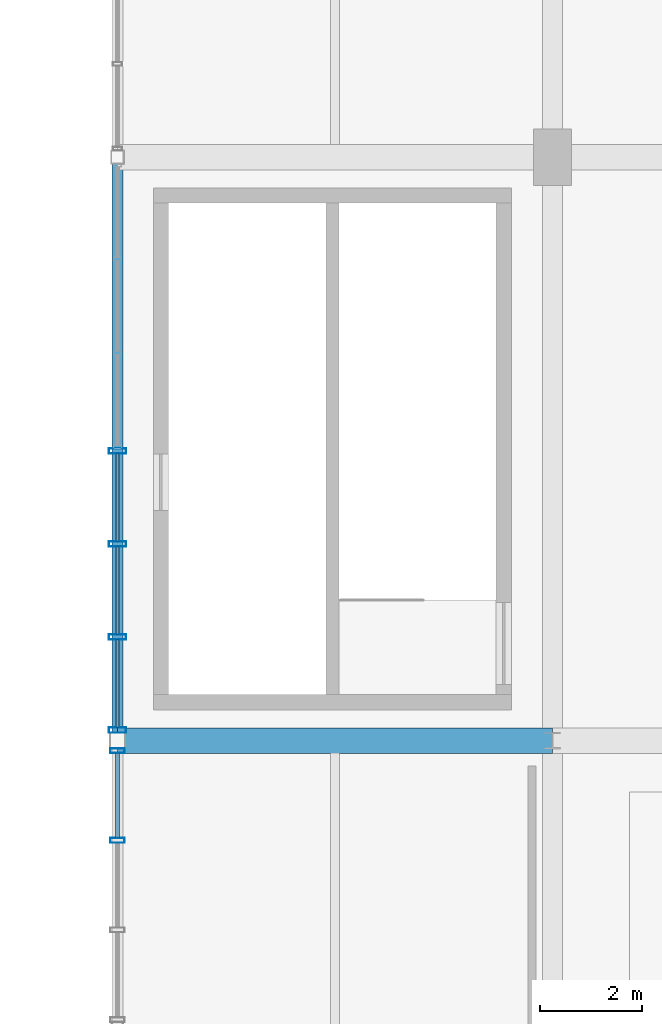
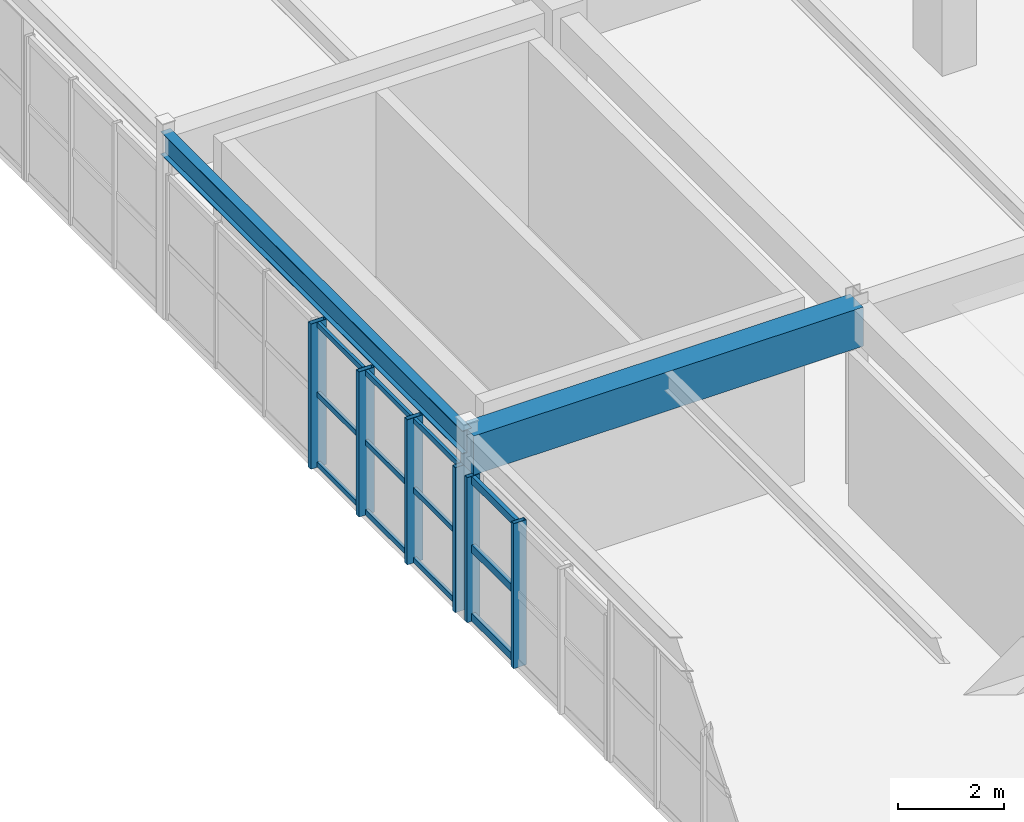
# One storey, part 26 of 80: 18 members, 2 beams, 2 elements without a shape of their own.
"""IFC4 building model written with IfcOpenShell, lengths in metres."""

from ifc_helpers import new_model, si_unit, direction, frame, origin, origin_2d, place, context, subcontext, project, spatial, rectangle, hollow_rectangle, i_section, extrude, material, layer, layer_set, material_profile, profile_set, type_object, element, aggregate, save


model = new_model("IFC4")

# Units and contexts
model_context = context("Model", 3, precision=1e-05, world=origin(), true_north=direction((0.0, 1.0)))
body_context = subcontext(model_context, "Body", "Model", "MODEL_VIEW")
ifc_project = project(units=[si_unit("LENGTHUNIT", "METRE"), si_unit("AREAUNIT", "SQUARE_METRE"), si_unit("VOLUMEUNIT", "CUBIC_METRE"), si_unit("PLANEANGLEUNIT", "RADIAN"), si_unit("MASSUNIT", "GRAM", prefix="KILO"), si_unit("POWERUNIT", "WATT"), si_unit("THERMODYNAMICTEMPERATUREUNIT", "KELVIN")], contexts=[model_context])

# Site, building, storey
site_placement = place(None, origin())
site = spatial("IfcSite", under=ifc_project, at=site_placement, CompositionType="ELEMENT")
building_placement = place(site_placement, origin())
building = spatial("IfcBuilding", under=site, at=building_placement, Name="Kelmbourne Parkland Aquatics Centre", CompositionType="ELEMENT")
storey_placement = place(building_placement, frame((0.0, 0.0, 10.199951171875)))
storey = spatial("IfcBuildingStorey", under=building, at=storey_placement, Name="L02", CompositionType="ELEMENT", Elevation=10.199951171875)

# Beams
ifc_material_1 = material(Name="Concrete C40/50", Category="concrete")
ifc_material_profile_1 = material_profile(ifc_material_1, rectangle(XDim=0.5, YDim=0.89990234375, at=origin_2d()), Name="RC 500x900")
ifc_profile_set_1 = profile_set([ifc_material_profile_1], Name="Concrete C40/50")
beam_type_1 = type_object("IfcBeamType", Name="BM-G03", PredefinedType="BEAM", material=ifc_profile_set_1)
beam_1_placement = place(storey_placement, frame((102.0, 35.0, 3.81005859375), z_axis=(1.0, 0.0, 0.0), x_axis=(0.0, 1.0, 0.0)))
element("IfcBeam", 1, at=beam_1_placement, inside=storey, type_object=beam_type_1, Name="Primary girder M-N Grid 05 (L03)", PredefinedType="BEAM", context=body_context, shape_type="SweptSolid", body=[
    extrude(rectangle(XDim=0.5, YDim=0.89990234375, at=origin_2d()), origin(), (0.0, 0.0, 1.0), 8.5),
])
ifc_material_2 = material(Name="Structural steel AS/NZS 3679.1 Grade 300", Category="steel")
ifc_material_profile_2 = material_profile(ifc_material_2, i_section(OverallWidth=0.208984375, OverallDepth=0.532958984375, WebThickness=0.01025390625, FlangeThickness=0.015625, at=origin_2d()), Name="530UB92.4")
ifc_profile_set_2 = profile_set([ifc_material_profile_2], Name="Structural steel AS/NZS 3679.1 Grade 300")
beam_type_2 = type_object("IfcBeamType", Name="BM-SP02", PredefinedType="SPANDREL", material=ifc_profile_set_2)
beam_2_placement = place(storey_placement, frame((102.0, 35.0, 3.99365234375), z_axis=(0.0, 1.0, 0.0), x_axis=(-1.0, 0.0, 0.0)))
element("IfcBeam", 2, at=beam_2_placement, inside=storey, type_object=beam_type_2, Name="Perimeter spandrel 05-06 Grid M (L03)", PredefinedType="SPANDREL", context=body_context, shape_type="SweptSolid", body=[
    extrude(i_section(OverallWidth=0.208984375, OverallDepth=0.532958984375, WebThickness=0.01025390625, FlangeThickness=0.015625, at=origin_2d()), origin(), (0.0, 0.0, 1.0), 11.39990234375),
])

# Curtain wall, members
ifc_material_3 = material(Name="Thermally broken anodised aluminium framing", Category="aluminium")
ifc_layer_1 = layer(ifc_material_3, 0.179931640625)
ifc_layer_set_1 = layer_set([ifc_layer_1], Name="Thermally broken anodised aluminium framing")
curtain_wall_type_1 = type_object("IfcCurtainWallType", Name="CW-11", PredefinedType="NOTDEFINED", material=ifc_layer_set_1)
curtain_wall_1_placement = place(storey_placement, origin())
curtain_wall_1 = element("IfcCurtainWall", 3, at=curtain_wall_1_placement, inside=storey, type_object=curtain_wall_type_1, Name="Facade curtain wall CW-L02-203", PredefinedType="NOTDEFINED")
ifc_material_profile_3 = material_profile(ifc_material_3, hollow_rectangle(XDim=0.094970703125, YDim=0.280029296875, WallThickness=0.005615234375, at=origin_2d()), Name="CW-M 95x280")
ifc_profile_set_3 = profile_set([ifc_material_profile_3], Name="Thermally broken anodised aluminium framing")
member_type_1 = type_object("IfcMemberType", Name="MB-MUL-4", PredefinedType="MULLION", material=ifc_profile_set_3)
member_1_placement = place(storey_placement, frame((102.0, 33.049560546875, 0.0), z_axis=(0.0, 0.0, 1.0), x_axis=(0.0, 1.0, 0.0)))
member_1 = element("IfcMember", 4, at=member_1_placement, type_object=member_type_1, Name="CW-L02-203 mullion 2", PredefinedType="MULLION", context=body_context, shape_type="SweptSolid", body=[
    extrude(hollow_rectangle(XDim=0.094970703125, YDim=0.280029296875, WallThickness=0.005615234375, at=origin_2d()), origin(), (0.0, 0.0, 1.0), 3.344970703125),
])
member_2_placement = place(storey_placement, frame((102.0, 34.800537109375, 0.0), z_axis=(0.0, 0.0, 1.0), x_axis=(0.0, 1.0, 0.0)))
member_2 = element("IfcMember", 5, at=member_2_placement, type_object=member_type_1, Name="CW-L02-203 mullion 3", PredefinedType="MULLION", context=body_context, shape_type="SweptSolid", body=[
    extrude(hollow_rectangle(XDim=0.094970703125, YDim=0.280029296875, WallThickness=0.005615234375, at=origin_2d()), origin(), (0.0, 0.0, 1.0), 3.344970703125),
])

ifc_layer_2 = layer(ifc_material_3, 0.179931640625)
ifc_layer_set_2 = layer_set([ifc_layer_2], Name="Thermally broken anodised aluminium framing")
curtain_wall_type_2 = type_object("IfcCurtainWallType", Name="CW-12", PredefinedType="NOTDEFINED", material=ifc_layer_set_2)
curtain_wall_2_placement = place(storey_placement, origin())
curtain_wall_2 = element("IfcCurtainWall", 6, at=curtain_wall_2_placement, inside=storey, type_object=curtain_wall_type_2, Name="Facade curtain wall CW-L02-204", PredefinedType="NOTDEFINED")
ifc_material_profile_4 = material_profile(ifc_material_3, hollow_rectangle(XDim=0.10498046875, YDim=0.340087890625, WallThickness=0.006103515625, at=origin_2d()), Name="CW-M 105x340")
ifc_profile_set_4 = profile_set([ifc_material_profile_4], Name="Thermally broken anodised aluminium framing")
member_type_2 = type_object("IfcMemberType", Name="MB-MUL-5", PredefinedType="MULLION", material=ifc_profile_set_4)
member_3_placement = place(storey_placement, frame((102.0, 35.20458984375, 0.0), z_axis=(0.0, 0.0, 1.0), x_axis=(0.0, 1.0, 0.0)))
member_3 = element("IfcMember", 7, at=member_3_placement, type_object=member_type_2, Name="CW-L02-204 mullion 0", PredefinedType="MULLION", context=body_context, shape_type="SweptSolid", body=[
    extrude(hollow_rectangle(XDim=0.10498046875, YDim=0.340087890625, WallThickness=0.006103515625, at=origin_2d()), origin(), (0.0, 0.0, 1.0), 3.344970703125),
])
member_4_placement = place(storey_placement, frame((102.0, 37.02294921875, 0.0), z_axis=(0.0, 0.0, 1.0), x_axis=(0.0, 1.0, 0.0)))
member_4 = element("IfcMember", 8, at=member_4_placement, type_object=member_type_2, Name="CW-L02-204 mullion 1", PredefinedType="MULLION", context=body_context, shape_type="SweptSolid", body=[
    extrude(hollow_rectangle(XDim=0.10498046875, YDim=0.340087890625, WallThickness=0.006103515625, at=origin_2d()), origin(), (0.0, 0.0, 1.0), 3.344970703125),
])
member_5_placement = place(storey_placement, frame((102.0, 38.841552734375, 0.0), z_axis=(0.0, 0.0, 1.0), x_axis=(0.0, 1.0, 0.0)))
member_5 = element("IfcMember", 9, at=member_5_placement, type_object=member_type_2, Name="CW-L02-204 mullion 2", PredefinedType="MULLION", context=body_context, shape_type="SweptSolid", body=[
    extrude(hollow_rectangle(XDim=0.10498046875, YDim=0.340087890625, WallThickness=0.006103515625, at=origin_2d()), origin(), (0.0, 0.0, 1.0), 3.344970703125),
])
member_6_placement = place(storey_placement, frame((102.0, 40.659912109375, 0.0), z_axis=(0.0, 0.0, 1.0), x_axis=(0.0, 1.0, 0.0)))
member_6 = element("IfcMember", 10, at=member_6_placement, type_object=member_type_2, Name="CW-L02-204 mullion 3", PredefinedType="MULLION", context=body_context, shape_type="SweptSolid", body=[
    extrude(hollow_rectangle(XDim=0.10498046875, YDim=0.340087890625, WallThickness=0.006103515625, at=origin_2d()), origin(), (0.0, 0.0, 1.0), 3.344970703125),
])
ifc_material_profile_5 = material_profile(ifc_material_3, hollow_rectangle(XDim=0.06494140625, YDim=0.1201171875, WallThickness=0.00341796875, at=origin_2d()), Name="CW-T 65x120")
ifc_profile_set_5 = profile_set([ifc_material_profile_5], Name="Thermally broken anodised aluminium framing")
member_type_3 = type_object("IfcMemberType", Name="MB-TRN-1", PredefinedType="USERDEFINED", material=ifc_profile_set_5)
member_7_placement = place(storey_placement, frame((102.0, 35.2529296875, 0.06298828125), z_axis=(0.0, 1.0, 0.0), x_axis=(-1.0, 0.0, 0.0)))
member_7 = element("IfcMember", 11, at=member_7_placement, type_object=member_type_3, Name="CW-L02-204 transom 0-0", ObjectType="TRANSOM", PredefinedType="USERDEFINED", context=body_context, shape_type="SweptSolid", body=[
    extrude(hollow_rectangle(XDim=0.06494140625, YDim=0.1201171875, WallThickness=0.00341796875, at=origin_2d()), origin(), (0.0, 0.0, 1.0), 1.7216796875),
])
member_8_placement = place(storey_placement, frame((102.0, 37.071533203125, 0.06298828125), z_axis=(0.0, 1.0, 0.0), x_axis=(-1.0, 0.0, 0.0)))
member_8 = element("IfcMember", 12, at=member_8_placement, type_object=member_type_3, Name="CW-L02-204 transom 0-1", ObjectType="TRANSOM", PredefinedType="USERDEFINED", context=body_context, shape_type="SweptSolid", body=[
    extrude(hollow_rectangle(XDim=0.06494140625, YDim=0.1201171875, WallThickness=0.00341796875, at=origin_2d()), origin(), (0.0, 0.0, 1.0), 1.721435546875),
])
member_9_placement = place(storey_placement, frame((102.0, 38.889892578125, 0.06298828125), z_axis=(0.0, 1.0, 0.0), x_axis=(-1.0, 0.0, 0.0)))
member_9 = element("IfcMember", 13, at=member_9_placement, type_object=member_type_3, Name="CW-L02-204 transom 0-2", ObjectType="TRANSOM", PredefinedType="USERDEFINED", context=body_context, shape_type="SweptSolid", body=[
    extrude(hollow_rectangle(XDim=0.06494140625, YDim=0.1201171875, WallThickness=0.00341796875, at=origin_2d()), origin(), (0.0, 0.0, 1.0), 1.7216796875),
])
member_10_placement = place(storey_placement, frame((102.0, 35.2529296875, 1.672607421875), z_axis=(0.0, 1.0, 0.0), x_axis=(-1.0, 0.0, 0.0)))
member_10 = element("IfcMember", 14, at=member_10_placement, type_object=member_type_3, Name="CW-L02-204 transom 1-0", ObjectType="TRANSOM", PredefinedType="USERDEFINED", context=body_context, shape_type="SweptSolid", body=[
    extrude(hollow_rectangle(XDim=0.06494140625, YDim=0.1201171875, WallThickness=0.00341796875, at=origin_2d()), origin(), (0.0, 0.0, 1.0), 1.7216796875),
])
member_11_placement = place(storey_placement, frame((102.0, 37.071533203125, 1.672607421875), z_axis=(0.0, 1.0, 0.0), x_axis=(-1.0, 0.0, 0.0)))
member_11 = element("IfcMember", 15, at=member_11_placement, type_object=member_type_3, Name="CW-L02-204 transom 1-1", ObjectType="TRANSOM", PredefinedType="USERDEFINED", context=body_context, shape_type="SweptSolid", body=[
    extrude(hollow_rectangle(XDim=0.06494140625, YDim=0.1201171875, WallThickness=0.00341796875, at=origin_2d()), origin(), (0.0, 0.0, 1.0), 1.721435546875),
])
member_12_placement = place(storey_placement, frame((102.0, 38.889892578125, 1.672607421875), z_axis=(0.0, 1.0, 0.0), x_axis=(-1.0, 0.0, 0.0)))
member_12 = element("IfcMember", 16, at=member_12_placement, type_object=member_type_3, Name="CW-L02-204 transom 1-2", ObjectType="TRANSOM", PredefinedType="USERDEFINED", context=body_context, shape_type="SweptSolid", body=[
    extrude(hollow_rectangle(XDim=0.06494140625, YDim=0.1201171875, WallThickness=0.00341796875, at=origin_2d()), origin(), (0.0, 0.0, 1.0), 1.7216796875),
])
member_13_placement = place(storey_placement, frame((102.0, 35.2529296875, 3.281982421875), z_axis=(0.0, 1.0, 0.0), x_axis=(-1.0, 0.0, 0.0)))
member_13 = element("IfcMember", 17, at=member_13_placement, type_object=member_type_3, Name="CW-L02-204 transom 2-0", ObjectType="TRANSOM", PredefinedType="USERDEFINED", context=body_context, shape_type="SweptSolid", body=[
    extrude(hollow_rectangle(XDim=0.06494140625, YDim=0.1201171875, WallThickness=0.00341796875, at=origin_2d()), origin(), (0.0, 0.0, 1.0), 1.7216796875),
])
member_14_placement = place(storey_placement, frame((102.0, 37.071533203125, 3.281982421875), z_axis=(0.0, 1.0, 0.0), x_axis=(-1.0, 0.0, 0.0)))
member_14 = element("IfcMember", 18, at=member_14_placement, type_object=member_type_3, Name="CW-L02-204 transom 2-1", ObjectType="TRANSOM", PredefinedType="USERDEFINED", context=body_context, shape_type="SweptSolid", body=[
    extrude(hollow_rectangle(XDim=0.06494140625, YDim=0.1201171875, WallThickness=0.00341796875, at=origin_2d()), origin(), (0.0, 0.0, 1.0), 1.721435546875),
])
member_15_placement = place(storey_placement, frame((102.0, 38.889892578125, 3.281982421875), z_axis=(0.0, 1.0, 0.0), x_axis=(-1.0, 0.0, 0.0)))
member_15 = element("IfcMember", 19, at=member_15_placement, type_object=member_type_3, Name="CW-L02-204 transom 2-2", ObjectType="TRANSOM", PredefinedType="USERDEFINED", context=body_context, shape_type="SweptSolid", body=[
    extrude(hollow_rectangle(XDim=0.06494140625, YDim=0.1201171875, WallThickness=0.00341796875, at=origin_2d()), origin(), (0.0, 0.0, 1.0), 1.7216796875),
])
aggregate(curtain_wall_2, [member_3, member_4, member_5, member_6, member_7, member_8, member_9, member_10, member_11, member_12, member_13, member_14, member_15])

# Member
ifc_material_profile_6 = material_profile(ifc_material_3, hollow_rectangle(XDim=0.0849609375, YDim=0.179931640625, WallThickness=0.00439453125, at=origin_2d()), Name="CW-T 85x180")
ifc_profile_set_6 = profile_set([ifc_material_profile_6], Name="Thermally broken anodised aluminium framing")
member_type_4 = type_object("IfcMemberType", Name="MB-TRN-3", PredefinedType="USERDEFINED", material=ifc_profile_set_6)
member_16_placement = place(storey_placement, frame((102.0, 33.093017578125, 0.093017578125), z_axis=(0.0, 1.0, 0.0), x_axis=(-1.0, 0.0, 0.0)))
member_16 = element("IfcMember", 20, at=member_16_placement, type_object=member_type_4, Name="CW-L02-203 transom 0-2", ObjectType="TRANSOM", PredefinedType="USERDEFINED", context=body_context, shape_type="SweptSolid", body=[
    extrude(hollow_rectangle(XDim=0.0849609375, YDim=0.179931640625, WallThickness=0.00439453125, at=origin_2d()), origin(), (0.0, 0.0, 1.0), 1.6640625),
])

member_17_placement = place(storey_placement, frame((102.0, 33.093017578125, 1.672607421875), z_axis=(0.0, 1.0, 0.0), x_axis=(-1.0, 0.0, 0.0)))
member_17 = element("IfcMember", 21, at=member_17_placement, type_object=member_type_4, Name="CW-L02-203 transom 1-2", ObjectType="TRANSOM", PredefinedType="USERDEFINED", context=body_context, shape_type="SweptSolid", body=[
    extrude(hollow_rectangle(XDim=0.0849609375, YDim=0.179931640625, WallThickness=0.00439453125, at=origin_2d()), origin(), (0.0, 0.0, 1.0), 1.6640625),
])

member_18_placement = place(storey_placement, frame((102.0, 33.093017578125, 3.251953125), z_axis=(0.0, 1.0, 0.0), x_axis=(-1.0, 0.0, 0.0)))
member_18 = element("IfcMember", 22, at=member_18_placement, type_object=member_type_4, Name="CW-L02-203 transom 2-2", ObjectType="TRANSOM", PredefinedType="USERDEFINED", context=body_context, shape_type="SweptSolid", body=[
    extrude(hollow_rectangle(XDim=0.0849609375, YDim=0.179931640625, WallThickness=0.00439453125, at=origin_2d()), origin(), (0.0, 0.0, 1.0), 1.6640625),
])

aggregate(curtain_wall_1, [member_1, member_2, member_16, member_17, member_18])

save(model, "model.ifc")
